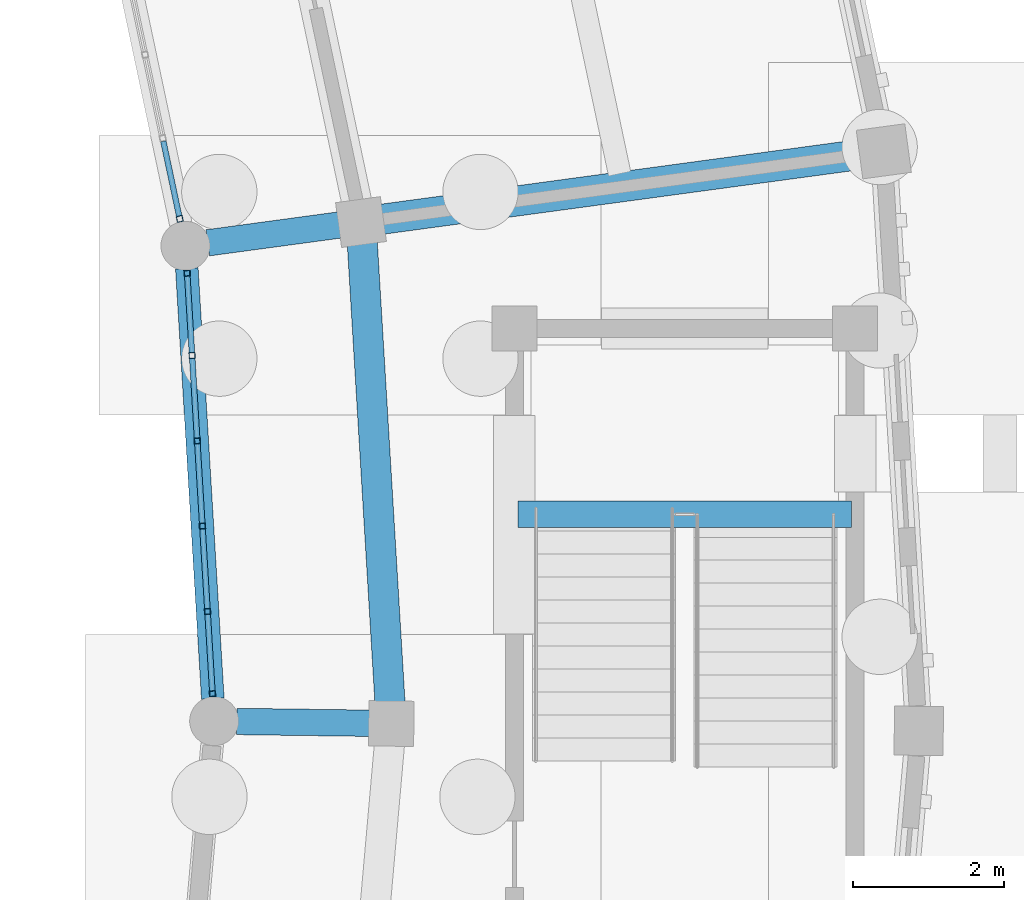
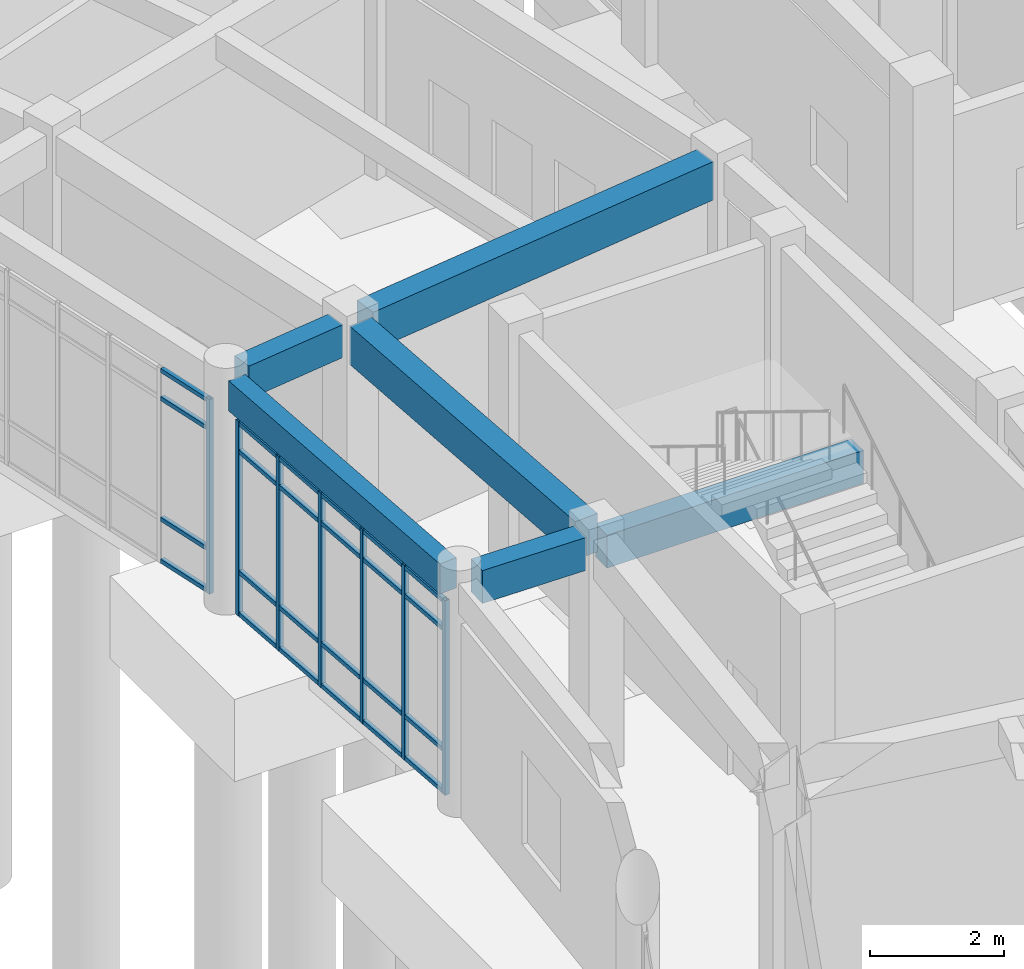
# One storey, part 89 of 153: 31 members, 6 beams, 2 elements without a shape of their own.
"""IFC4 building model written with IfcOpenShell, lengths in metres."""

from ifc_helpers import new_model, si_unit, direction, frame, origin, origin_2d, place, context, subcontext, project, spatial, rectangle, hollow_rectangle, extrude, material, material_profile, profile_set, type_object, element, aggregate, save


model = new_model("IFC4")

# Units and contexts
model_context = context("Model", 3, precision=1e-05, world=origin(), true_north=direction((0.0, 1.0)))
body_context = subcontext(model_context, "Body", "Model", "MODEL_VIEW")
ifc_project = project(units=[si_unit("LENGTHUNIT", "METRE"), si_unit("AREAUNIT", "SQUARE_METRE"), si_unit("VOLUMEUNIT", "CUBIC_METRE"), si_unit("PLANEANGLEUNIT", "RADIAN"), si_unit("MASSUNIT", "GRAM", prefix="KILO")], contexts=[model_context])

# Site, building, storey
site_placement = place(None, origin())
site = spatial("IfcSite", under=ifc_project, at=site_placement, CompositionType="ELEMENT")
building_placement = place(site_placement, origin())
building = spatial("IfcBuilding", under=site, at=building_placement, Name="Celadon Cloister-Ring School", CompositionType="ELEMENT")
storey_placement = place(building_placement, origin())
storey = spatial("IfcBuildingStorey", under=building, at=storey_placement, Name="L00", CompositionType="ELEMENT", Elevation=0.0)

# Beams
ifc_material_1 = material(Name="Concrete C35/45", Category="concrete")
ifc_material_profile_1 = material_profile(ifc_material_1, rectangle(XDim=0.35009765625, YDim=0.60009765625, at=origin_2d()), Name="RC350X600")
ifc_profile_set_1 = profile_set([ifc_material_profile_1], Name="Concrete C35/45")
beam_type_1 = type_object("IfcBeamType", Name="BT-02", PredefinedType="BEAM", material=ifc_profile_set_1)
for number, where, z_axis, x_axis, name in (
    (1, (131.720947265625, 58.382080078125, 3.97998046875), (-0.999909156439, 0.013478830444, 0.0), (-0.013478830444, -0.999909156439, 0.0), "Beam 0054"),
    (2, (131.321044921875, 64.9951171875, 3.97998046875), (-0.990967747371, -0.134100423829, 0.0), (0.134100423829, -0.990967747371, 0.0), "Beam 0056"),
):
    element("IfcBeam", number, at=place(storey_placement, frame(where, z_axis=z_axis, x_axis=x_axis)), inside=storey, type_object=beam_type_1, Name=name, PredefinedType="BEAM", context=body_context, shape_type="SweptSolid", body=[
        extrude(rectangle(XDim=0.35009765625, YDim=0.60009765625, at=origin_2d()), origin(), (0.0, 0.0, 1.0), 1.775146484375),
    ])
beam_1_placement = place(storey_placement, frame((133.679931640625, 61.155029296875, 1.64990234375), z_axis=(1.0, 0.0, 0.0), x_axis=(0.0, 1.0, 0.0)))
element("IfcBeam", 3, at=beam_1_placement, inside=storey, type_object=beam_type_1, Name="Stair Landing Beam 1757", PredefinedType="BEAM", context=body_context, shape_type="SweptSolid", body=[
    extrude(rectangle(XDim=0.35009765625, YDim=0.60009765625, at=origin_2d()), origin(), (0.0, 0.0, 1.0), 4.420166015625),
])

# Curtain wall, members
ifc_material_2 = material(Name="Aluminium EN AW-6063 T6", Category="aluminium")
curtain_wall_type = type_object("IfcCurtainWallType", Name="CW-01", PredefinedType="USERDEFINED", material=ifc_material_2)
curtain_wall_1_placement = place(storey_placement, origin())
curtain_wall_1 = element("IfcCurtainWall", 4, at=curtain_wall_1_placement, inside=storey, type_object=curtain_wall_type, Name="Curtain Wall 0017", ObjectType="CURTAIN WALL", PredefinedType="USERDEFINED")
ifc_material_3 = material(Name="Aluminium EN AW-6063 T6", Category="aluminium")
ifc_material_profile_2 = material_profile(ifc_material_3, hollow_rectangle(XDim=0.080078125, YDim=0.080078125, WallThickness=0.00390625, at=origin_2d()), Name="RHS80X80X4")
ifc_profile_set_2 = profile_set([ifc_material_profile_2], Name="Aluminium EN AW-6063 T6")
member_type_1 = type_object("IfcMemberType", Name="CM-03", PredefinedType="MULLION", material=ifc_profile_set_2)
member_1_placement = place(storey_placement, frame((129.62353515625, 58.77392578125, 0.0), z_axis=(0.0, 0.0, 1.0), x_axis=(-0.998189416171, -0.060148893965, 0.0)))
member_1 = element("IfcMember", 5, at=member_1_placement, type_object=member_type_1, Name="CW-01 mullion 1", PredefinedType="MULLION", context=body_context, shape_type="SweptSolid", body=[
    extrude(hollow_rectangle(XDim=0.080078125, YDim=0.080078125, WallThickness=0.00390625, at=origin_2d()), origin(), (0.0, 0.0, 1.0), 3.550048828125),
])
member_2_placement = place(storey_placement, frame((129.557861328125, 59.86572265625, 0.0), z_axis=(0.0, 0.0, 1.0), x_axis=(-0.998189416171, -0.060148893965, 0.0)))
member_2 = element("IfcMember", 6, at=member_2_placement, type_object=member_type_1, Name="CW-01 mullion 2", PredefinedType="MULLION", context=body_context, shape_type="SweptSolid", body=[
    extrude(hollow_rectangle(XDim=0.080078125, YDim=0.080078125, WallThickness=0.00390625, at=origin_2d()), origin(), (0.0, 0.0, 1.0), 3.550048828125),
])
member_3_placement = place(storey_placement, frame((129.489501953125, 60.99755859375, 0.0), z_axis=(0.0, 0.0, 1.0), x_axis=(-0.998189416171, -0.060148893965, 0.0)))
member_3 = element("IfcMember", 7, at=member_3_placement, type_object=member_type_1, Name="CW-01 mullion 3", PredefinedType="MULLION", context=body_context, shape_type="SweptSolid", body=[
    extrude(hollow_rectangle(XDim=0.080078125, YDim=0.080078125, WallThickness=0.00390625, at=origin_2d()), origin(), (0.0, 0.0, 1.0), 3.550048828125),
])
member_4_placement = place(storey_placement, frame((129.42138671875, 62.12939453125, 0.0), z_axis=(0.0, 0.0, 1.0), x_axis=(-0.998189416171, -0.060148893965, 0.0)))
member_4 = element("IfcMember", 8, at=member_4_placement, type_object=member_type_1, Name="CW-01 mullion 4", PredefinedType="MULLION", context=body_context, shape_type="SweptSolid", body=[
    extrude(hollow_rectangle(XDim=0.080078125, YDim=0.080078125, WallThickness=0.00390625, at=origin_2d()), origin(), (0.0, 0.0, 1.0), 3.550048828125),
])
member_5_placement = place(storey_placement, frame((129.353271484375, 63.26123046875, 0.0), z_axis=(0.0, 0.0, 1.0), x_axis=(-0.998189416171, -0.060148893965, 0.0)))
member_5 = element("IfcMember", 9, at=member_5_placement, type_object=member_type_1, Name="CW-01 mullion 5", PredefinedType="MULLION", context=body_context, shape_type="SweptSolid", body=[
    extrude(hollow_rectangle(XDim=0.080078125, YDim=0.080078125, WallThickness=0.00390625, at=origin_2d()), origin(), (0.0, 0.0, 1.0), 3.550048828125),
])
member_6_placement = place(storey_placement, frame((129.287353515625, 64.35302734375, 0.0), z_axis=(0.0, 0.0, 1.0), x_axis=(-0.998189416171, -0.060148893965, 0.0)))
member_6 = element("IfcMember", 10, at=member_6_placement, type_object=member_type_1, Name="CW-01 mullion 6", PredefinedType="MULLION", context=body_context, shape_type="SweptSolid", body=[
    extrude(hollow_rectangle(XDim=0.080078125, YDim=0.080078125, WallThickness=0.00390625, at=origin_2d()), origin(), (0.0, 0.0, 1.0), 3.550048828125),
])

# Curtain wall, member
curtain_wall_2_placement = place(storey_placement, origin())
curtain_wall_2 = element("IfcCurtainWall", 11, at=curtain_wall_2_placement, inside=storey, type_object=curtain_wall_type, Name="Curtain Wall 0018", ObjectType="CURTAIN WALL", PredefinedType="USERDEFINED")
member_7_placement = place(storey_placement, frame((129.189697265625, 65.07421875, 0.0), z_axis=(0.0, 0.0, 1.0), x_axis=(-0.978320844999, -0.207094964304, 0.0)))
member_7 = element("IfcMember", 12, at=member_7_placement, type_object=member_type_1, Name="CW-01 mullion 1", PredefinedType="MULLION", context=body_context, shape_type="SweptSolid", body=[
    extrude(hollow_rectangle(XDim=0.080078125, YDim=0.080078125, WallThickness=0.00390625, at=origin_2d()), origin(), (0.0, 0.0, 1.0), 3.550048828125),
])

# Member
ifc_material_4 = material(Name="Aluminium EN AW-6063 T6", Category="aluminium")
ifc_material_profile_3 = material_profile(ifc_material_4, hollow_rectangle(XDim=0.074951171875, YDim=0.074951171875, WallThickness=0.00390625, at=origin_2d()), Name="RHS75X75X4")
ifc_profile_set_3 = profile_set([ifc_material_profile_3], Name="Aluminium EN AW-6063 T6")
member_type_2 = type_object("IfcMemberType", Name="CTM-03", PredefinedType="USERDEFINED", material=ifc_profile_set_3)
member_8_placement = place(storey_placement, frame((129.62109375, 58.81396484375, 0.03759765625), z_axis=(-0.059964277537, 0.998200523652, 0.0), x_axis=(-0.998200523652, -0.059964277537, 0.0)))
member_8 = element("IfcMember", 13, at=member_8_placement, type_object=member_type_2, Name="CW-01 transom 1.1", ObjectType="TRANSOM", PredefinedType="USERDEFINED", context=body_context, shape_type="SweptSolid", body=[
    extrude(hollow_rectangle(XDim=0.074951171875, YDim=0.074951171875, WallThickness=0.00390625, at=origin_2d()), origin(), (0.0, 0.0, 1.0), 1.013671875),
])

member_9_placement = place(storey_placement, frame((129.62109375, 58.81396484375, 0.800048828125), z_axis=(-0.059964277537, 0.998200523652, 0.0), x_axis=(-0.998200523652, -0.059964277537, 0.0)))
member_9 = element("IfcMember", 14, at=member_9_placement, type_object=member_type_2, Name="CW-01 transom 1.2", ObjectType="TRANSOM", PredefinedType="USERDEFINED", context=body_context, shape_type="SweptSolid", body=[
    extrude(hollow_rectangle(XDim=0.074951171875, YDim=0.074951171875, WallThickness=0.00390625, at=origin_2d()), origin(), (0.0, 0.0, 1.0), 1.013671875),
])

member_10_placement = place(storey_placement, frame((129.62109375, 58.81396484375, 3.0), z_axis=(-0.059964277537, 0.998200523652, 0.0), x_axis=(-0.998200523652, -0.059964277537, 0.0)))
member_10 = element("IfcMember", 15, at=member_10_placement, type_object=member_type_2, Name="CW-01 transom 1.3", ObjectType="TRANSOM", PredefinedType="USERDEFINED", context=body_context, shape_type="SweptSolid", body=[
    extrude(hollow_rectangle(XDim=0.074951171875, YDim=0.074951171875, WallThickness=0.00390625, at=origin_2d()), origin(), (0.0, 0.0, 1.0), 1.013671875),
])

member_11_placement = place(storey_placement, frame((129.62109375, 58.81396484375, 3.512451171875), z_axis=(-0.059964277537, 0.998200523652, 0.0), x_axis=(-0.998200523652, -0.059964277537, 0.0)))
member_11 = element("IfcMember", 16, at=member_11_placement, type_object=member_type_2, Name="CW-01 transom 1.4", ObjectType="TRANSOM", PredefinedType="USERDEFINED", context=body_context, shape_type="SweptSolid", body=[
    extrude(hollow_rectangle(XDim=0.074951171875, YDim=0.074951171875, WallThickness=0.00390625, at=origin_2d()), origin(), (0.0, 0.0, 1.0), 1.013671875),
])

member_12_placement = place(storey_placement, frame((129.555419921875, 59.90576171875, 0.03759765625), z_axis=(-0.060229284723, 0.998184568736, 0.0), x_axis=(-0.998184568736, -0.060229284723, 0.0)))
member_12 = element("IfcMember", 17, at=member_12_placement, type_object=member_type_2, Name="CW-01 transom 2.1", ObjectType="TRANSOM", PredefinedType="USERDEFINED", context=body_context, shape_type="SweptSolid", body=[
    extrude(hollow_rectangle(XDim=0.074951171875, YDim=0.074951171875, WallThickness=0.00390625, at=origin_2d()), origin(), (0.0, 0.0, 1.0), 1.053955078125),
])

member_13_placement = place(storey_placement, frame((129.555419921875, 59.90576171875, 0.800048828125), z_axis=(-0.060229284723, 0.998184568736, 0.0), x_axis=(-0.998184568736, -0.060229284723, 0.0)))
member_13 = element("IfcMember", 18, at=member_13_placement, type_object=member_type_2, Name="CW-01 transom 2.2", ObjectType="TRANSOM", PredefinedType="USERDEFINED", context=body_context, shape_type="SweptSolid", body=[
    extrude(hollow_rectangle(XDim=0.074951171875, YDim=0.074951171875, WallThickness=0.00390625, at=origin_2d()), origin(), (0.0, 0.0, 1.0), 1.053955078125),
])

member_14_placement = place(storey_placement, frame((129.555419921875, 59.90576171875, 3.0), z_axis=(-0.060229284723, 0.998184568736, 0.0), x_axis=(-0.998184568736, -0.060229284723, 0.0)))
member_14 = element("IfcMember", 19, at=member_14_placement, type_object=member_type_2, Name="CW-01 transom 2.3", ObjectType="TRANSOM", PredefinedType="USERDEFINED", context=body_context, shape_type="SweptSolid", body=[
    extrude(hollow_rectangle(XDim=0.074951171875, YDim=0.074951171875, WallThickness=0.00390625, at=origin_2d()), origin(), (0.0, 0.0, 1.0), 1.053955078125),
])

member_15_placement = place(storey_placement, frame((129.555419921875, 59.90576171875, 3.512451171875), z_axis=(-0.060229284723, 0.998184568736, 0.0), x_axis=(-0.998184568736, -0.060229284723, 0.0)))
member_15 = element("IfcMember", 20, at=member_15_placement, type_object=member_type_2, Name="CW-01 transom 2.4", ObjectType="TRANSOM", PredefinedType="USERDEFINED", context=body_context, shape_type="SweptSolid", body=[
    extrude(hollow_rectangle(XDim=0.074951171875, YDim=0.074951171875, WallThickness=0.00390625, at=origin_2d()), origin(), (0.0, 0.0, 1.0), 1.053955078125),
])

member_16_placement = place(storey_placement, frame((129.4873046875, 61.03759765625, 0.03759765625), z_axis=(-0.060243214789, 0.998183728114, 0.0), x_axis=(-0.998183728114, -0.060243214789, 0.0)))
member_16 = element("IfcMember", 21, at=member_16_placement, type_object=member_type_2, Name="CW-01 transom 3.1", ObjectType="TRANSOM", PredefinedType="USERDEFINED", context=body_context, shape_type="SweptSolid", body=[
    extrude(hollow_rectangle(XDim=0.074951171875, YDim=0.074951171875, WallThickness=0.00390625, at=origin_2d()), origin(), (0.0, 0.0, 1.0), 1.0537109375),
])

member_17_placement = place(storey_placement, frame((129.4873046875, 61.03759765625, 0.800048828125), z_axis=(-0.060243214789, 0.998183728114, 0.0), x_axis=(-0.998183728114, -0.060243214789, 0.0)))
member_17 = element("IfcMember", 22, at=member_17_placement, type_object=member_type_2, Name="CW-01 transom 3.2", ObjectType="TRANSOM", PredefinedType="USERDEFINED", context=body_context, shape_type="SweptSolid", body=[
    extrude(hollow_rectangle(XDim=0.074951171875, YDim=0.074951171875, WallThickness=0.00390625, at=origin_2d()), origin(), (0.0, 0.0, 1.0), 1.0537109375),
])

member_18_placement = place(storey_placement, frame((129.4873046875, 61.03759765625, 3.0), z_axis=(-0.060243214789, 0.998183728114, 0.0), x_axis=(-0.998183728114, -0.060243214789, 0.0)))
member_18 = element("IfcMember", 23, at=member_18_placement, type_object=member_type_2, Name="CW-01 transom 3.3", ObjectType="TRANSOM", PredefinedType="USERDEFINED", context=body_context, shape_type="SweptSolid", body=[
    extrude(hollow_rectangle(XDim=0.074951171875, YDim=0.074951171875, WallThickness=0.00390625, at=origin_2d()), origin(), (0.0, 0.0, 1.0), 1.0537109375),
])

member_19_placement = place(storey_placement, frame((129.4873046875, 61.03759765625, 3.512451171875), z_axis=(-0.060243214789, 0.998183728114, 0.0), x_axis=(-0.998183728114, -0.060243214789, 0.0)))
member_19 = element("IfcMember", 24, at=member_19_placement, type_object=member_type_2, Name="CW-01 transom 3.4", ObjectType="TRANSOM", PredefinedType="USERDEFINED", context=body_context, shape_type="SweptSolid", body=[
    extrude(hollow_rectangle(XDim=0.074951171875, YDim=0.074951171875, WallThickness=0.00390625, at=origin_2d()), origin(), (0.0, 0.0, 1.0), 1.0537109375),
])

member_20_placement = place(storey_placement, frame((129.4189453125, 62.16943359375, 0.03759765625), z_axis=(-0.060012346202, 0.998197634892, 0.0), x_axis=(-0.998197634892, -0.060012346202, 0.0)))
member_20 = element("IfcMember", 25, at=member_20_placement, type_object=member_type_2, Name="CW-01 transom 4.1", ObjectType="TRANSOM", PredefinedType="USERDEFINED", context=body_context, shape_type="SweptSolid", body=[
    extrude(hollow_rectangle(XDim=0.074951171875, YDim=0.074951171875, WallThickness=0.00390625, at=origin_2d()), origin(), (0.0, 0.0, 1.0), 1.0537109375),
])

member_21_placement = place(storey_placement, frame((129.4189453125, 62.16943359375, 0.800048828125), z_axis=(-0.060012346202, 0.998197634892, 0.0), x_axis=(-0.998197634892, -0.060012346202, 0.0)))
member_21 = element("IfcMember", 26, at=member_21_placement, type_object=member_type_2, Name="CW-01 transom 4.2", ObjectType="TRANSOM", PredefinedType="USERDEFINED", context=body_context, shape_type="SweptSolid", body=[
    extrude(hollow_rectangle(XDim=0.074951171875, YDim=0.074951171875, WallThickness=0.00390625, at=origin_2d()), origin(), (0.0, 0.0, 1.0), 1.0537109375),
])

member_22_placement = place(storey_placement, frame((129.4189453125, 62.16943359375, 3.0), z_axis=(-0.060012346202, 0.998197634892, 0.0), x_axis=(-0.998197634892, -0.060012346202, 0.0)))
member_22 = element("IfcMember", 27, at=member_22_placement, type_object=member_type_2, Name="CW-01 transom 4.3", ObjectType="TRANSOM", PredefinedType="USERDEFINED", context=body_context, shape_type="SweptSolid", body=[
    extrude(hollow_rectangle(XDim=0.074951171875, YDim=0.074951171875, WallThickness=0.00390625, at=origin_2d()), origin(), (0.0, 0.0, 1.0), 1.0537109375),
])

member_23_placement = place(storey_placement, frame((129.4189453125, 62.16943359375, 3.512451171875), z_axis=(-0.060012346202, 0.998197634892, 0.0), x_axis=(-0.998197634892, -0.060012346202, 0.0)))
member_23 = element("IfcMember", 28, at=member_23_placement, type_object=member_type_2, Name="CW-01 transom 4.4", ObjectType="TRANSOM", PredefinedType="USERDEFINED", context=body_context, shape_type="SweptSolid", body=[
    extrude(hollow_rectangle(XDim=0.074951171875, YDim=0.074951171875, WallThickness=0.00390625, at=origin_2d()), origin(), (0.0, 0.0, 1.0), 1.0537109375),
])

member_24_placement = place(storey_placement, frame((129.350830078125, 63.301025390625, 0.03759765625), z_axis=(-0.060189758377, 0.998186952923, 0.0), x_axis=(-0.998186952923, -0.060189758377, 0.0)))
member_24 = element("IfcMember", 29, at=member_24_placement, type_object=member_type_2, Name="CW-01 transom 5.1", ObjectType="TRANSOM", PredefinedType="USERDEFINED", context=body_context, shape_type="SweptSolid", body=[
    extrude(hollow_rectangle(XDim=0.074951171875, YDim=0.074951171875, WallThickness=0.00390625, at=origin_2d()), origin(), (0.0, 0.0, 1.0), 1.01416015625),
])

member_25_placement = place(storey_placement, frame((129.350830078125, 63.301025390625, 0.800048828125), z_axis=(-0.060189758377, 0.998186952923, 0.0), x_axis=(-0.998186952923, -0.060189758377, 0.0)))
member_25 = element("IfcMember", 30, at=member_25_placement, type_object=member_type_2, Name="CW-01 transom 5.2", ObjectType="TRANSOM", PredefinedType="USERDEFINED", context=body_context, shape_type="SweptSolid", body=[
    extrude(hollow_rectangle(XDim=0.074951171875, YDim=0.074951171875, WallThickness=0.00390625, at=origin_2d()), origin(), (0.0, 0.0, 1.0), 1.01416015625),
])

member_26_placement = place(storey_placement, frame((129.350830078125, 63.301025390625, 3.0), z_axis=(-0.060189758377, 0.998186952923, 0.0), x_axis=(-0.998186952923, -0.060189758377, 0.0)))
member_26 = element("IfcMember", 31, at=member_26_placement, type_object=member_type_2, Name="CW-01 transom 5.3", ObjectType="TRANSOM", PredefinedType="USERDEFINED", context=body_context, shape_type="SweptSolid", body=[
    extrude(hollow_rectangle(XDim=0.074951171875, YDim=0.074951171875, WallThickness=0.00390625, at=origin_2d()), origin(), (0.0, 0.0, 1.0), 1.01416015625),
])

member_27_placement = place(storey_placement, frame((129.350830078125, 63.301025390625, 3.512451171875), z_axis=(-0.060189758377, 0.998186952923, 0.0), x_axis=(-0.998186952923, -0.060189758377, 0.0)))
member_27 = element("IfcMember", 32, at=member_27_placement, type_object=member_type_2, Name="CW-01 transom 5.4", ObjectType="TRANSOM", PredefinedType="USERDEFINED", context=body_context, shape_type="SweptSolid", body=[
    extrude(hollow_rectangle(XDim=0.074951171875, YDim=0.074951171875, WallThickness=0.00390625, at=origin_2d()), origin(), (0.0, 0.0, 1.0), 1.01416015625),
])

aggregate(curtain_wall_1, [member_1, member_2, member_3, member_4, member_5, member_6, member_8, member_9, member_10, member_11, member_12, member_13, member_14, member_15, member_16, member_17, member_18, member_19, member_20, member_21, member_22, member_23, member_24, member_25, member_26, member_27])

member_28_placement = place(storey_placement, frame((129.181396484375, 65.11328125, 0.03759765625), z_axis=(-0.20712705188, 0.97831405202, 0.0), x_axis=(-0.97831405202, -0.20712705188, 0.0)))
member_28 = element("IfcMember", 33, at=member_28_placement, type_object=member_type_2, Name="CW-01 transom 1.1", ObjectType="TRANSOM", PredefinedType="USERDEFINED", context=body_context, shape_type="SweptSolid", body=[
    extrude(hollow_rectangle(XDim=0.074951171875, YDim=0.074951171875, WallThickness=0.00390625, at=origin_2d()), origin(), (0.0, 0.0, 1.0), 1.013671875),
])

member_29_placement = place(storey_placement, frame((129.181396484375, 65.11328125, 0.800048828125), z_axis=(-0.20712705188, 0.97831405202, 0.0), x_axis=(-0.97831405202, -0.20712705188, 0.0)))
member_29 = element("IfcMember", 34, at=member_29_placement, type_object=member_type_2, Name="CW-01 transom 1.2", ObjectType="TRANSOM", PredefinedType="USERDEFINED", context=body_context, shape_type="SweptSolid", body=[
    extrude(hollow_rectangle(XDim=0.074951171875, YDim=0.074951171875, WallThickness=0.00390625, at=origin_2d()), origin(), (0.0, 0.0, 1.0), 1.013671875),
])

member_30_placement = place(storey_placement, frame((129.181396484375, 65.11328125, 3.0), z_axis=(-0.20712705188, 0.97831405202, 0.0), x_axis=(-0.97831405202, -0.20712705188, 0.0)))
member_30 = element("IfcMember", 35, at=member_30_placement, type_object=member_type_2, Name="CW-01 transom 1.3", ObjectType="TRANSOM", PredefinedType="USERDEFINED", context=body_context, shape_type="SweptSolid", body=[
    extrude(hollow_rectangle(XDim=0.074951171875, YDim=0.074951171875, WallThickness=0.00390625, at=origin_2d()), origin(), (0.0, 0.0, 1.0), 1.013671875),
])

member_31_placement = place(storey_placement, frame((129.181396484375, 65.11328125, 3.512451171875), z_axis=(-0.20712705188, 0.97831405202, 0.0), x_axis=(-0.97831405202, -0.20712705188, 0.0)))
member_31 = element("IfcMember", 36, at=member_31_placement, type_object=member_type_2, Name="CW-01 transom 1.4", ObjectType="TRANSOM", PredefinedType="USERDEFINED", context=body_context, shape_type="SweptSolid", body=[
    extrude(hollow_rectangle(XDim=0.074951171875, YDim=0.074951171875, WallThickness=0.00390625, at=origin_2d()), origin(), (0.0, 0.0, 1.0), 1.013671875),
])

aggregate(curtain_wall_2, [member_7, member_28, member_29, member_30, member_31])

# Beams
ifc_material_5 = material(Name="Concrete C35/45", Category="concrete")
ifc_material_profile_4 = material_profile(ifc_material_5, rectangle(XDim=0.39990234375, YDim=0.699951171875, at=origin_2d()), Name="RC400X700")
ifc_profile_set_4 = profile_set([ifc_material_profile_4], Name="Concrete C35/45")
beam_type_2 = type_object("IfcBeamType", Name="GT-03", PredefinedType="USERDEFINED", material=ifc_profile_set_4)
beam_2_placement = place(storey_placement, frame((138.23388671875, 65.930908203125, 3.929931640625), z_axis=(-0.990963103676, -0.134134735073, 0.0), x_axis=(0.134134735073, -0.990963103676, 0.0)))
element("IfcBeam", 37, at=beam_2_placement, inside=storey, type_object=beam_type_2, Name="Beam 0055", ObjectType="GIRDER", PredefinedType="USERDEFINED", context=body_context, shape_type="SweptSolid", body=[
    extrude(rectangle(XDim=0.39990234375, YDim=0.699951171875, at=origin_2d()), origin(), (0.0, 0.0, 1.0), 6.425048828125),
])
beam_3_placement = place(storey_placement, frame((131.97900390625, 58.652099609375, 3.929931640625), z_axis=(-0.060146806865, 0.998189541933, 0.0), x_axis=(-0.998189541933, -0.060146806865, 0.0)))
element("IfcBeam", 38, at=beam_3_placement, inside=storey, type_object=beam_type_2, Name="Beam 0173", ObjectType="GIRDER", PredefinedType="USERDEFINED", context=body_context, shape_type="SweptSolid", body=[
    extrude(rectangle(XDim=0.39990234375, YDim=0.699951171875, at=origin_2d()), origin(), (0.0, 0.0, 1.0), 6.116943359375),
])
ifc_material_6 = material(Name="Concrete C35/45", Category="concrete")
ifc_material_profile_5 = material_profile(ifc_material_6, rectangle(XDim=0.300048828125, YDim=0.550048828125, at=origin_2d()), Name="RC300X550")
ifc_profile_set_5 = profile_set([ifc_material_profile_5], Name="Concrete C35/45")
beam_type_3 = type_object("IfcBeamType", Name="SP-02", PredefinedType="SPANDREL", material=ifc_profile_set_5)
beam_4_placement = place(storey_placement, frame((129.6279296875, 58.708984375, 4.0048828125), z_axis=(-0.060315917043, 0.99817933767, 0.0), x_axis=(-0.99817933767, -0.060315917043, 0.0)))
element("IfcBeam", 39, at=beam_4_placement, inside=storey, type_object=beam_type_3, Name="Beam 0174", PredefinedType="SPANDREL", context=body_context, shape_type="SweptSolid", body=[
    extrude(rectangle(XDim=0.300048828125, YDim=0.550048828125, at=origin_2d()), origin(), (0.0, 0.0, 1.0), 5.719482421875),
])

save(model, "model.ifc")
